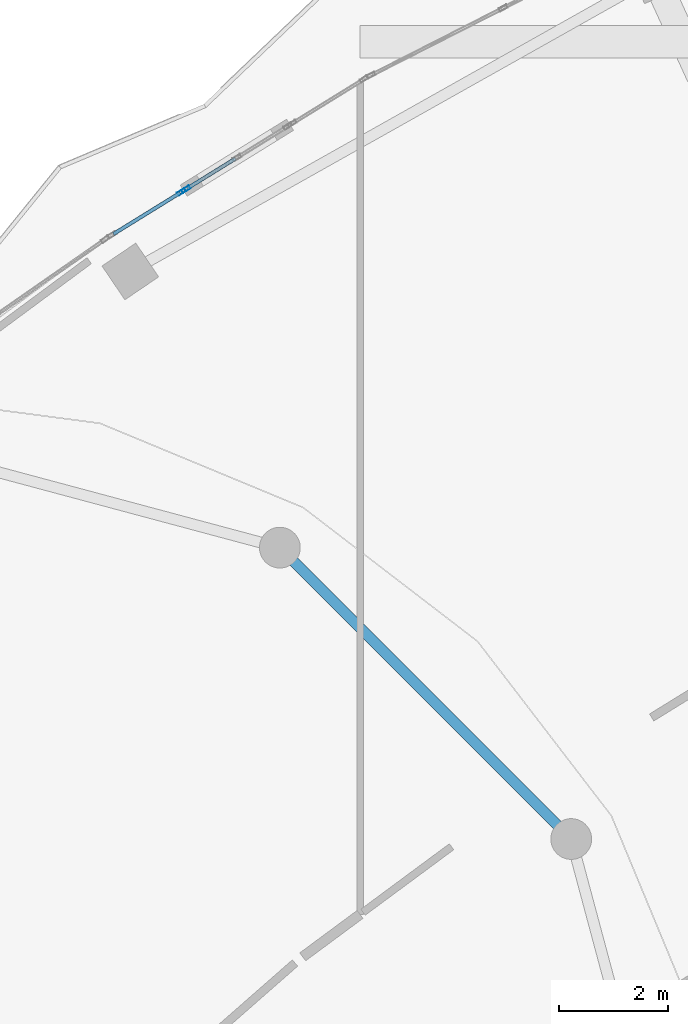
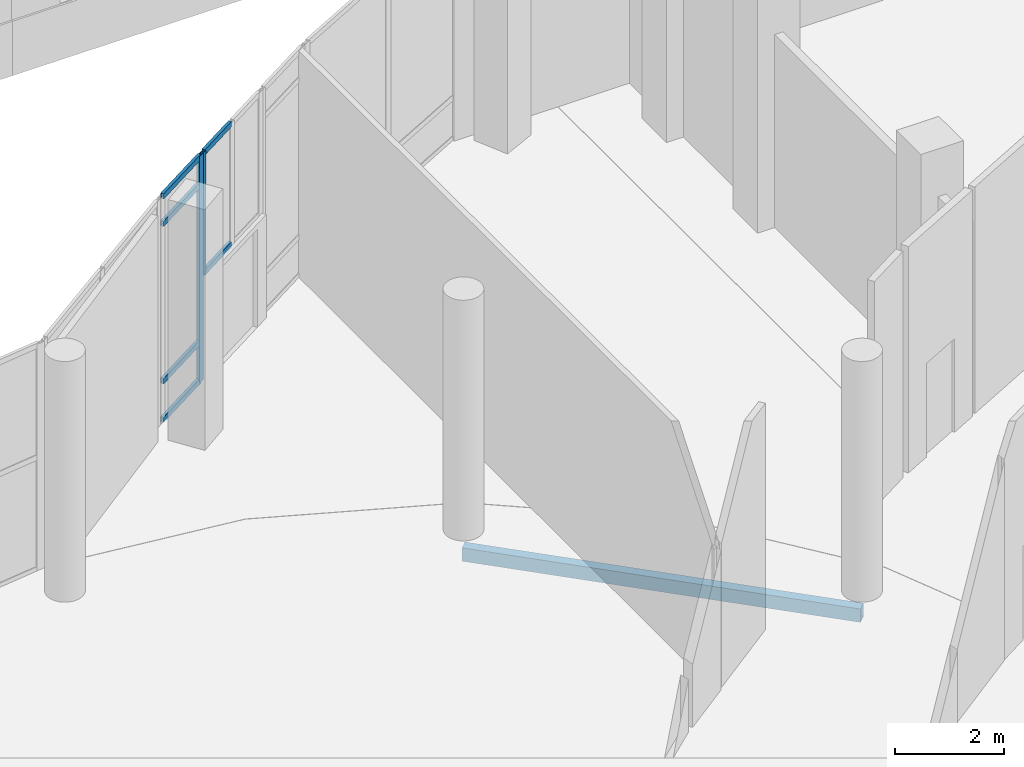
# One storey, part 65 of 158: 8 members, 1 beam, 2 elements without a shape of their own.
"""IFC4 building model written with IfcOpenShell, lengths in metres."""

from ifc_helpers import new_model, si_unit, direction, frame, origin, origin_2d, place, context, subcontext, project, spatial, hollow_rectangle, extrude, material, material_profile, profile_set, type_object, element, aggregate, save


model = new_model("IFC4")

# Units and contexts
model_context = context("Model", 3, precision=1e-05, world=origin(), true_north=direction((0.0, 1.0)))
body_context = subcontext(model_context, "Body", "Model", "MODEL_VIEW")
ifc_project = project(units=[si_unit("LENGTHUNIT", "METRE"), si_unit("AREAUNIT", "SQUARE_METRE"), si_unit("VOLUMEUNIT", "CUBIC_METRE"), si_unit("PLANEANGLEUNIT", "RADIAN"), si_unit("MASSUNIT", "GRAM", prefix="KILO")], contexts=[model_context])

# Site, building, storey
site_placement = place(None, origin())
site = spatial("IfcSite", under=ifc_project, at=site_placement, CompositionType="ELEMENT")
building_placement = place(site_placement, origin())
building = spatial("IfcBuilding", under=site, at=building_placement, Name="Selatvlak General Hospital", CompositionType="ELEMENT")
storey_placement = place(building_placement, origin())
storey = spatial("IfcBuildingStorey", under=building, at=storey_placement, Name="L00", CompositionType="ELEMENT", Elevation=0.0)

# Beam
ifc_material_1 = material(Name="Steel S355", Category="steel")
ifc_material_profile_1 = material_profile(ifc_material_1, hollow_rectangle(XDim=0.199951171875, YDim=0.300048828125, WallThickness=0.011962890625, at=origin_2d()), Name="RHS 300x200x12")
ifc_profile_set_1 = profile_set([ifc_material_profile_1], Name="Steel S355")
beam_type = type_object("IfcBeamType", Name="BM-SP3", PredefinedType="SPANDREL", material=ifc_profile_set_1)
beam_placement = place(storey_placement, frame((110.68701171875, 61.324951171875, -0.5), z_axis=(-0.707106781187, 0.707106781187, 0.0), x_axis=(-0.707106781187, -0.707106781187, 0.0)))
element("IfcBeam", 1, at=beam_placement, inside=storey, type_object=beam_type, Name="Beam BMR-L00-0330", PredefinedType="SPANDREL", context=body_context, shape_type="SweptSolid", body=[
    extrude(hollow_rectangle(XDim=0.199951171875, YDim=0.300048828125, WallThickness=0.011962890625, at=origin_2d()), origin(), (0.0, 0.0, 1.0), 7.5830078125),
])

# Curtain wall, member
ifc_material_2 = material(Name="Solar-control Low-E double glazing", Category="glass")
curtain_wall_type_1 = type_object("IfcCurtainWallType", Name="CW-CW-02", PredefinedType="USERDEFINED", material=ifc_material_2)
curtain_wall_1_placement = place(storey_placement, origin())
curtain_wall_1 = element("IfcCurtainWall", 2, at=curtain_wall_1_placement, inside=storey, type_object=curtain_wall_type_1, Name="Glazed facade curtain wall CW-L00-0100", ObjectType="UNITISED CURTAIN WALL", PredefinedType="USERDEFINED")
ifc_material_3 = material(Name="Dark anodised aluminium mullion", Category="aluminium")
ifc_material_profile_2 = material_profile(ifc_material_3, hollow_rectangle(XDim=0.06494140625, YDim=0.159912109375, WallThickness=0.00390625, at=origin_2d()), Name="AL-MUL 65x160x4")
ifc_profile_set_2 = profile_set([ifc_material_profile_2], Name="Dark anodised aluminium mullion")
member_type_1 = type_object("IfcMemberType", Name="CWM-01", PredefinedType="MULLION", material=ifc_profile_set_2)
member_1_placement = place(storey_placement, frame((103.5966796875, 73.283203125, 2.320068359375), z_axis=(0.0, 0.0, 1.0), x_axis=(-0.526111885649, 0.850415359562, 0.0)))
member_1 = element("IfcMember", 3, at=member_1_placement, type_object=member_type_1, Name="CW-02 mullion 1", PredefinedType="MULLION", context=body_context, shape_type="SweptSolid", body=[
    extrude(hollow_rectangle(XDim=0.06494140625, YDim=0.159912109375, WallThickness=0.00390625, at=origin_2d()), origin(), (0.0, 0.0, 1.0), 2.760009765625),
])

curtain_wall_type_2 = type_object("IfcCurtainWallType", Name="CW-CW-01", PredefinedType="USERDEFINED", material=ifc_material_2)
curtain_wall_2_placement = place(storey_placement, origin())
curtain_wall_2 = element("IfcCurtainWall", 4, at=curtain_wall_2_placement, inside=storey, type_object=curtain_wall_type_2, Name="Glazed facade curtain wall CW-L00-0101", ObjectType="UNITISED CURTAIN WALL", PredefinedType="USERDEFINED")
member_2_placement = place(storey_placement, frame((103.515380859375, 73.23291015625, 0.0), z_axis=(0.0, 0.0, 1.0), x_axis=(-0.525872346387, 0.850563504569, 0.0)))
member_2 = element("IfcMember", 5, at=member_2_placement, type_object=member_type_1, Name="CW-01 mullion 2", PredefinedType="MULLION", context=body_context, shape_type="SweptSolid", body=[
    extrude(hollow_rectangle(XDim=0.06494140625, YDim=0.159912109375, WallThickness=0.00390625, at=origin_2d()), origin(), (0.0, 0.0, 1.0), 5.080078125),
])

# Member
ifc_material_profile_3 = material_profile(ifc_material_3, hollow_rectangle(XDim=0.06494140625, YDim=0.1201171875, WallThickness=0.00390625, at=origin_2d()), Name="AL-TRN 65x120x4")
ifc_profile_set_3 = profile_set([ifc_material_profile_3], Name="Dark anodised aluminium mullion")
member_type_2 = type_object("IfcMemberType", Name="CWT-01", PredefinedType="USERDEFINED", material=ifc_profile_set_3)
member_3_placement = place(storey_placement, frame((103.624267578125, 73.30029296875, 2.3525390625), z_axis=(0.850435657631, 0.526079074123, 0.0), x_axis=(-0.526079074123, 0.850435657631, 0.0)))
member_3 = element("IfcMember", 6, at=member_3_placement, type_object=member_type_2, Name="CW-02 transom 1.1", ObjectType="TRANSOM", PredefinedType="USERDEFINED", context=body_context, shape_type="SweptSolid", body=[
    extrude(hollow_rectangle(XDim=0.06494140625, YDim=0.1201171875, WallThickness=0.00390625, at=origin_2d()), origin(), (0.0, 0.0, 1.0), 1.037109375),
])

member_4_placement = place(storey_placement, frame((103.624267578125, 73.30029296875, 5.047607421875), z_axis=(0.850435657631, 0.526079074123, 0.0), x_axis=(-0.526079074123, 0.850435657631, 0.0)))
member_4 = element("IfcMember", 7, at=member_4_placement, type_object=member_type_2, Name="CW-02 transom 1.2", ObjectType="TRANSOM", PredefinedType="USERDEFINED", context=body_context, shape_type="SweptSolid", body=[
    extrude(hollow_rectangle(XDim=0.06494140625, YDim=0.1201171875, WallThickness=0.00390625, at=origin_2d()), origin(), (0.0, 0.0, 1.0), 1.037109375),
])

aggregate(curtain_wall_1, [member_1, member_3, member_4])

member_5_placement = place(storey_placement, frame((102.26220703125, 72.458251953125, 0.032470703125), z_axis=(0.850615237888, 0.525788661985, 0.0), x_axis=(-0.525788661985, 0.850615237888, 0.0)))
member_5 = element("IfcMember", 8, at=member_5_placement, type_object=member_type_2, Name="CW-01 transom 1.1", ObjectType="TRANSOM", PredefinedType="USERDEFINED", context=body_context, shape_type="SweptSolid", body=[
    extrude(hollow_rectangle(XDim=0.06494140625, YDim=0.1201171875, WallThickness=0.00390625, at=origin_2d()), origin(), (0.0, 0.0, 1.0), 1.44091796875),
])

member_6_placement = place(storey_placement, frame((102.26220703125, 72.458251953125, 0.89990234375), z_axis=(0.850615237888, 0.525788661985, 0.0), x_axis=(-0.525788661985, 0.850615237888, 0.0)))
member_6 = element("IfcMember", 9, at=member_6_placement, type_object=member_type_2, Name="CW-01 transom 1.2", ObjectType="TRANSOM", PredefinedType="USERDEFINED", context=body_context, shape_type="SweptSolid", body=[
    extrude(hollow_rectangle(XDim=0.06494140625, YDim=0.1201171875, WallThickness=0.00390625, at=origin_2d()), origin(), (0.0, 0.0, 1.0), 1.44091796875),
])

member_7_placement = place(storey_placement, frame((102.26220703125, 72.458251953125, 4.429931640625), z_axis=(0.850615237888, 0.525788661985, 0.0), x_axis=(-0.525788661985, 0.850615237888, 0.0)))
member_7 = element("IfcMember", 10, at=member_7_placement, type_object=member_type_2, Name="CW-01 transom 1.3", ObjectType="TRANSOM", PredefinedType="USERDEFINED", context=body_context, shape_type="SweptSolid", body=[
    extrude(hollow_rectangle(XDim=0.06494140625, YDim=0.1201171875, WallThickness=0.00390625, at=origin_2d()), origin(), (0.0, 0.0, 1.0), 1.44091796875),
])

member_8_placement = place(storey_placement, frame((102.26220703125, 72.458251953125, 5.047607421875), z_axis=(0.850615237888, 0.525788661985, 0.0), x_axis=(-0.525788661985, 0.850615237888, 0.0)))
member_8 = element("IfcMember", 11, at=member_8_placement, type_object=member_type_2, Name="CW-01 transom 1.4", ObjectType="TRANSOM", PredefinedType="USERDEFINED", context=body_context, shape_type="SweptSolid", body=[
    extrude(hollow_rectangle(XDim=0.06494140625, YDim=0.1201171875, WallThickness=0.00390625, at=origin_2d()), origin(), (0.0, 0.0, 1.0), 1.44091796875),
])

aggregate(curtain_wall_2, [member_2, member_5, member_6, member_7, member_8])

save(model, "model.ifc")
